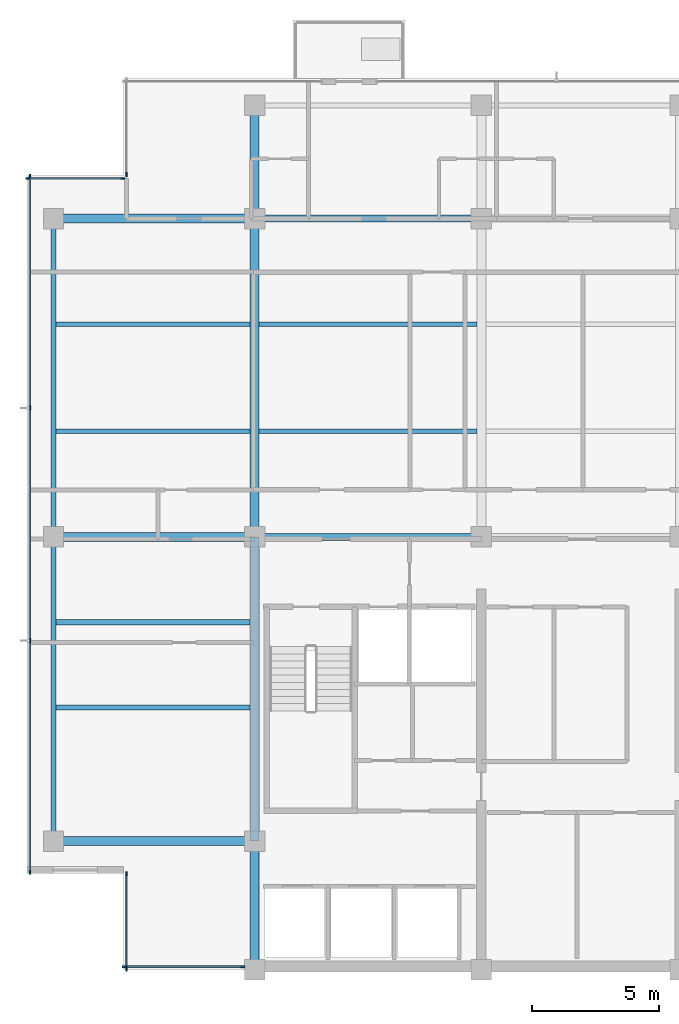
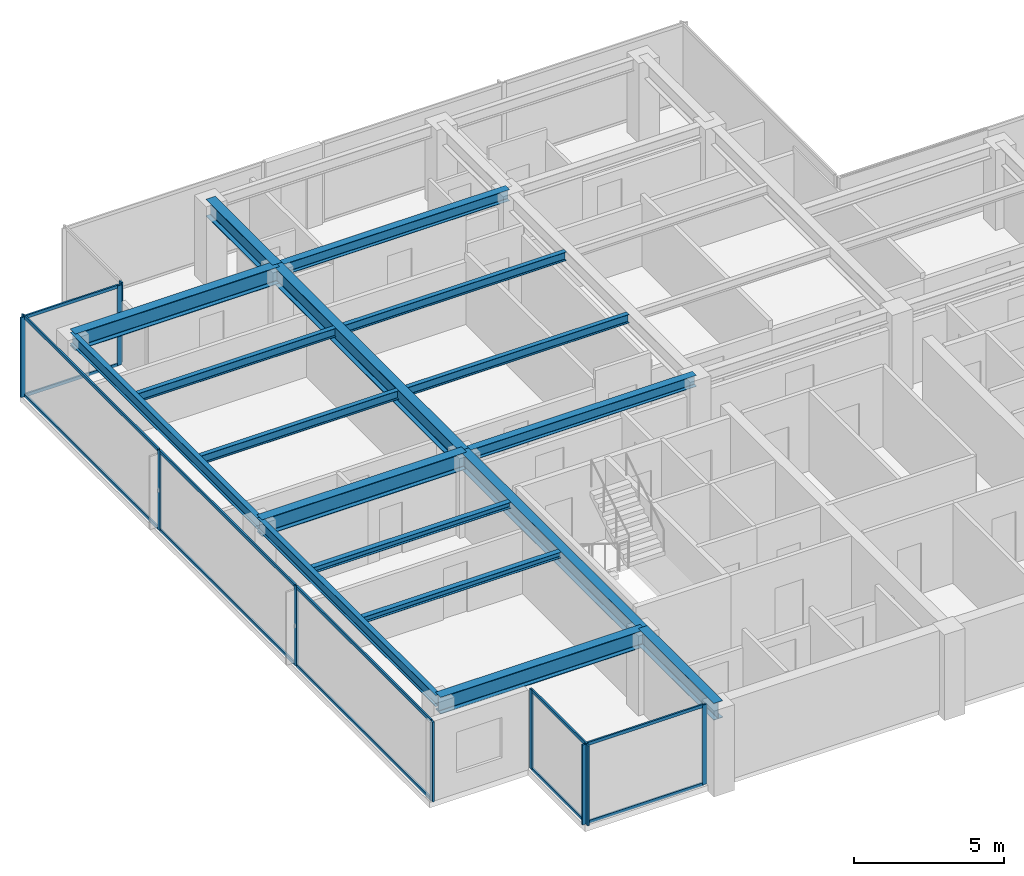
# One storey, part 2 of 11: 23 members, 17 beams, 5 elements without a shape of their own.
"""IFC4 building model written with IfcOpenShell, lengths in metres."""

from ifc_helpers import new_model, si_unit, direction, frame, origin, origin_2d, place, context, subcontext, project, spatial, rectangle, i_section, extrude, material, layer, layer_set, material_profile, profile_set, type_object, element, aggregate, save


model = new_model("IFC4")

# Units and contexts
model_context = context("Model", 3, precision=1e-05, world=origin(), true_north=direction((0.0, 1.0)))
body_context = subcontext(model_context, "Body", "Model", "MODEL_VIEW")
ifc_project = project(units=[si_unit("LENGTHUNIT", "METRE"), si_unit("AREAUNIT", "SQUARE_METRE"), si_unit("VOLUMEUNIT", "CUBIC_METRE"), si_unit("PLANEANGLEUNIT", "RADIAN"), si_unit("MASSUNIT", "GRAM", prefix="KILO")], contexts=[model_context])

# Site, building, storey
site_placement = place(None, origin())
site = spatial("IfcSite", under=ifc_project, at=site_placement, CompositionType="ELEMENT")
building_placement = place(site_placement, origin())
building = spatial("IfcBuilding", under=site, at=building_placement, Name="Qalmaran Belvedere Hotel", CompositionType="ELEMENT")
storey_placement = place(building_placement, frame((0.0, 0.0, 266.89990234375)))
storey = spatial("IfcBuildingStorey", under=building, at=storey_placement, Name="L69", CompositionType="ELEMENT", Elevation=266.89990234375)

# Beams
ifc_material_1 = material(Name="Steel S355JR", Category="steel")
ifc_material_profile_1 = material_profile(ifc_material_1, i_section(OverallWidth=0.201904296875, OverallDepth=0.2470703125, WebThickness=0.00732421875, FlangeThickness=0.010986328125, FilletRadius=0.011962890625, at=origin_2d()), Name="W250X49")
ifc_profile_set_1 = profile_set([ifc_material_profile_1], Name="Steel S355JR")
beam_type_1 = type_object("IfcBeamType", Name="BM-JST-W250X49", PredefinedType="JOIST", material=ifc_profile_set_1)
for number, where, z_axis, x_axis, name in (
    (1, (12.493896484375, 13.800048828125, 3.13671875), (1.0, 0.0, 0.0), (0.0, 1.0, 0.0), "L69 West Wing Joist 031"),
    (2, (12.493896484375, 17.14990234375, 3.13671875), (1.0, 0.0, 0.0), (0.0, 1.0, 0.0), "L69 West Wing Joist 033"),
):
    element("IfcBeam", number, at=place(storey_placement, frame(where, z_axis=z_axis, x_axis=x_axis)), inside=storey, type_object=beam_type_1, Name=name, PredefinedType="JOIST", context=body_context, shape_type="SweptSolid", body=[
        extrude(i_section(OverallWidth=0.201904296875, OverallDepth=0.2470703125, WebThickness=0.00732421875, FlangeThickness=0.010986328125, FilletRadius=0.011962890625, at=origin_2d()), origin(), (0.0, 0.0, 1.0), 7.630615234375),
    ])
ifc_material_profile_2 = material_profile(ifc_material_1, i_section(OverallWidth=0.172119140625, OverallDepth=0.35791015625, WebThickness=0.0078125, FlangeThickness=0.01318359375, FilletRadius=0.014892578125, at=origin_2d()), Name="W360X57")
ifc_profile_set_2 = profile_set([ifc_material_profile_2], Name="Steel S355JR")
beam_type_2 = type_object("IfcBeamType", Name="BM-SB4-W360X57", PredefinedType="BEAM", material=ifc_profile_set_2)
beam_1_placement = place(storey_placement, frame((12.493896484375, 24.64990234375, 3.0810546875), z_axis=(1.0, 0.0, 0.0), x_axis=(0.0, 1.0, 0.0)))
element("IfcBeam", 3, at=beam_1_placement, inside=storey, type_object=beam_type_2, Name="L69 West Secondary Beam 024", PredefinedType="BEAM", context=body_context, shape_type="SweptSolid", body=[
    extrude(i_section(OverallWidth=0.172119140625, OverallDepth=0.35791015625, WebThickness=0.0078125, FlangeThickness=0.01318359375, FilletRadius=0.014892578125, at=origin_2d()), origin(), (0.0, 0.0, 1.0), 7.630615234375),
])
beam_2_placement = place(storey_placement, frame((20.4755859375, 24.64990234375, 3.0810546875), z_axis=(1.0, 0.0, 0.0), x_axis=(0.0, 1.0, 0.0)))
element("IfcBeam", 4, at=beam_2_placement, inside=storey, type_object=beam_type_2, Name="L69 Secondary Floor Beam 025", PredefinedType="BEAM", context=body_context, shape_type="SweptSolid", body=[
    extrude(i_section(OverallWidth=0.172119140625, OverallDepth=0.35791015625, WebThickness=0.0078125, FlangeThickness=0.01318359375, FilletRadius=0.014892578125, at=origin_2d()), origin(), (0.0, 0.0, 1.0), 8.548828125),
])
beam_3_placement = place(storey_placement, frame((12.493896484375, 28.85009765625, 3.0810546875), z_axis=(1.0, 0.0, 0.0), x_axis=(0.0, 1.0, 0.0)))
element("IfcBeam", 5, at=beam_3_placement, inside=storey, type_object=beam_type_2, Name="L69 West Secondary Beam 028", PredefinedType="BEAM", context=body_context, shape_type="SweptSolid", body=[
    extrude(i_section(OverallWidth=0.172119140625, OverallDepth=0.35791015625, WebThickness=0.0078125, FlangeThickness=0.01318359375, FilletRadius=0.014892578125, at=origin_2d()), origin(), (0.0, 0.0, 1.0), 7.630615234375),
])
beam_4_placement = place(storey_placement, frame((20.4755859375, 28.85009765625, 3.0810546875), z_axis=(1.0, 0.0, 0.0), x_axis=(0.0, 1.0, 0.0)))
element("IfcBeam", 6, at=beam_4_placement, inside=storey, type_object=beam_type_2, Name="L69 Secondary Floor Beam 029", PredefinedType="BEAM", context=body_context, shape_type="SweptSolid", body=[
    extrude(i_section(OverallWidth=0.172119140625, OverallDepth=0.35791015625, WebThickness=0.0078125, FlangeThickness=0.01318359375, FilletRadius=0.014892578125, at=origin_2d()), origin(), (0.0, 0.0, 1.0), 8.548828125),
])
ifc_material_profile_3 = material_profile(ifc_material_1, i_section(OverallWidth=0.19189453125, OverallDepth=0.462890625, WebThickness=0.010498046875, FlangeThickness=0.017578125, FilletRadius=0.01611328125, at=origin_2d()), Name="W460X89")
ifc_profile_set_3 = profile_set([ifc_material_profile_3], Name="Steel S355JR")
beam_type_3 = type_object("IfcBeamType", Name="BM-SP2-W460X89", PredefinedType="SPANDREL", material=ifc_profile_set_3)
beam_5_placement = place(storey_placement, frame((12.39990234375, 8.550048828125, 3.028564453125), z_axis=(0.0, 1.0, 0.0), x_axis=(-1.0, 0.0, 0.0)))
element("IfcBeam", 7, at=beam_5_placement, inside=storey, type_object=beam_type_3, Name="L69 Perimeter Spandrel 01", PredefinedType="SPANDREL", context=body_context, shape_type="SweptSolid", body=[
    extrude(i_section(OverallWidth=0.19189453125, OverallDepth=0.462890625, WebThickness=0.010498046875, FlangeThickness=0.017578125, FilletRadius=0.01611328125, at=origin_2d()), origin(), (0.0, 0.0, 1.0), 11.949951171875),
])
beam_6_placement = place(storey_placement, frame((12.39990234375, 20.5, 3.028564453125), z_axis=(0.0, 1.0, 0.0), x_axis=(-1.0, 0.0, 0.0)))
element("IfcBeam", 8, at=beam_6_placement, inside=storey, type_object=beam_type_3, Name="L69 Perimeter Spandrel 02", PredefinedType="SPANDREL", context=body_context, shape_type="SweptSolid", body=[
    extrude(i_section(OverallWidth=0.19189453125, OverallDepth=0.462890625, WebThickness=0.010498046875, FlangeThickness=0.017578125, FilletRadius=0.01611328125, at=origin_2d()), origin(), (0.0, 0.0, 1.0), 12.5),
])
ifc_material_profile_4 = material_profile(ifc_material_1, i_section(OverallWidth=0.35498046875, OverallDepth=0.695068359375, WebThickness=0.015380859375, FlangeThickness=0.02490234375, FilletRadius=0.02197265625, at=origin_2d()), Name="W690X217")
ifc_profile_set_4 = profile_set([ifc_material_profile_4], Name="Steel S355JR")
beam_type_4 = type_object("IfcBeamType", Name="BM-Z1-W690X217", PredefinedType="USERDEFINED", material=ifc_profile_set_4)
beam_7_placement = place(storey_placement, frame((20.300048828125, 20.5, 2.91259765625), z_axis=(0.0, 1.0, 0.0), x_axis=(-1.0, 0.0, 0.0)))
element("IfcBeam", 9, at=beam_7_placement, inside=storey, type_object=beam_type_4, Name="L69 Mid-Plate N-S Girder 11", ObjectType="GIRDER", PredefinedType="USERDEFINED", context=body_context, shape_type="SweptSolid", body=[
    extrude(i_section(OverallWidth=0.35498046875, OverallDepth=0.695068359375, WebThickness=0.015380859375, FlangeThickness=0.02490234375, FilletRadius=0.02197265625, at=origin_2d()), origin(), (0.0, 0.0, 1.0), 12.5),
])
beam_8_placement = place(storey_placement, frame((20.300048828125, 33.0, 2.91259765625), z_axis=(0.0, 1.0, 0.0), x_axis=(-1.0, 0.0, 0.0)))
element("IfcBeam", 10, at=beam_8_placement, inside=storey, type_object=beam_type_4, Name="L69 North Bay Girder 12", ObjectType="GIRDER", PredefinedType="USERDEFINED", context=body_context, shape_type="SweptSolid", body=[
    extrude(i_section(OverallWidth=0.35498046875, OverallDepth=0.695068359375, WebThickness=0.015380859375, FlangeThickness=0.02490234375, FilletRadius=0.02197265625, at=origin_2d()), origin(), (0.0, 0.0, 1.0), 4.449951171875),
])
for number, where, z_axis, x_axis, name in (
    (11, (12.39990234375, 8.550048828125, 2.91259765625), (1.0, 0.0, 0.0), (0.0, 1.0, 0.0), "L69 West Wing Girder 19"),
    (12, (12.39990234375, 20.5, 2.91259765625), (1.0, 0.0, 0.0), (0.0, 1.0, 0.0), "L69 West Wing Girder 20"),
    (13, (12.39990234375, 33.0, 2.91259765625), (1.0, 0.0, 0.0), (0.0, 1.0, 0.0), "L69 West Wing Girder 21"),
):
    element("IfcBeam", number, at=place(storey_placement, frame(where, z_axis=z_axis, x_axis=x_axis)), inside=storey, type_object=beam_type_4, Name=name, ObjectType="GIRDER", PredefinedType="USERDEFINED", context=body_context, shape_type="SweptSolid", body=[
        extrude(i_section(OverallWidth=0.35498046875, OverallDepth=0.695068359375, WebThickness=0.015380859375, FlangeThickness=0.02490234375, FilletRadius=0.02197265625, at=origin_2d()), origin(), (0.0, 0.0, 1.0), 7.900146484375),
    ])
beam_9_placement = place(storey_placement, frame((20.300048828125, 3.5, 2.91259765625), z_axis=(0.0, 1.0, 0.0), x_axis=(-1.0, 0.0, 0.0)))
element("IfcBeam", 14, at=beam_9_placement, inside=storey, type_object=beam_type_4, Name="L69 West Core Edge Girder A", ObjectType="GIRDER", PredefinedType="USERDEFINED", context=body_context, shape_type="SweptSolid", body=[
    extrude(i_section(OverallWidth=0.35498046875, OverallDepth=0.695068359375, WebThickness=0.015380859375, FlangeThickness=0.02490234375, FilletRadius=0.02197265625, at=origin_2d()), origin(), (0.0, 0.0, 1.0), 5.050048828125),
])
beam_10_placement = place(storey_placement, frame((20.300048828125, 8.550048828125, 2.91259765625), z_axis=(0.0, 1.0, 0.0), x_axis=(-1.0, 0.0, 0.0)))
element("IfcBeam", 15, at=beam_10_placement, inside=storey, type_object=beam_type_4, Name="L69 West Core Edge Girder B", ObjectType="GIRDER", PredefinedType="USERDEFINED", context=body_context, shape_type="SweptSolid", body=[
    extrude(i_section(OverallWidth=0.35498046875, OverallDepth=0.695068359375, WebThickness=0.015380859375, FlangeThickness=0.02490234375, FilletRadius=0.02197265625, at=origin_2d()), origin(), (0.0, 0.0, 1.0), 11.949951171875),
])
ifc_material_profile_5 = material_profile(ifc_material_1, i_section(OverallWidth=0.280029296875, OverallDepth=0.462890625, WebThickness=0.0107421875, FlangeThickness=0.017333984375, FilletRadius=0.01611328125, at=origin_2d()), Name="W460X113")
ifc_profile_set_5 = profile_set([ifc_material_profile_5], Name="Steel S355JR")
beam_type_5 = type_object("IfcBeamType", Name="BM-Z5-W460X113", PredefinedType="USERDEFINED", material=ifc_profile_set_5)
for number, where, z_axis, x_axis, name in (
    (16, (20.300048828125, 20.5, 3.028564453125), (1.0, 0.0, 0.0), (0.0, 1.0, 0.0), "L69 Interior E-W Girder 06"),
    (17, (20.300048828125, 33.0, 3.028564453125), (1.0, 0.0, 0.0), (0.0, 1.0, 0.0), "L69 Interior E-W Girder 09"),
):
    element("IfcBeam", number, at=place(storey_placement, frame(where, z_axis=z_axis, x_axis=x_axis)), inside=storey, type_object=beam_type_5, Name=name, ObjectType="GIRDER", PredefinedType="USERDEFINED", context=body_context, shape_type="SweptSolid", body=[
        extrude(i_section(OverallWidth=0.280029296875, OverallDepth=0.462890625, WebThickness=0.0107421875, FlangeThickness=0.017333984375, FilletRadius=0.01611328125, at=origin_2d()), origin(), (0.0, 0.0, 1.0), 8.89990234375),
    ])

# Curtain wall, members
ifc_material_2 = material(Name="Anodised Bronze Aluminium", Category="aluminium")
ifc_layer = layer(ifc_material_2, 0.18505859375, Name="Anodised Bronze Aluminium")
ifc_layer_set = layer_set([ifc_layer], Name="Anodised Bronze Aluminium")
curtain_wall_type = type_object("IfcCurtainWallType", Name="CW6-TOWER-SKY", PredefinedType="NOTDEFINED", material=ifc_layer_set)
curtain_wall_1_placement = place(storey_placement, origin())
curtain_wall_1 = element("IfcCurtainWall", 18, at=curtain_wall_1_placement, inside=storey, type_object=curtain_wall_type, Name="L69 Curtain Wall CW6", PredefinedType="NOTDEFINED")
ifc_material_profile_6 = material_profile(ifc_material_2, rectangle(XDim=0.06494140625, YDim=0.1650390625, at=origin_2d()), Name="CWM65X165")
ifc_profile_set_6 = profile_set([ifc_material_profile_6], Name="Anodised Bronze Aluminium")
member_type_1 = type_object("IfcMemberType", Name="CWM-65X165", PredefinedType="MULLION", material=ifc_profile_set_6)
member_1_placement = place(storey_placement, frame((15.1826171875, 3.6201171875, 0.0), z_axis=(0.0, 0.0, 1.0), x_axis=(0.0, 1.0, 0.0)))
member_1 = element("IfcMember", 19, at=member_1_placement, type_object=member_type_1, Name="CW6 mullion 1", PredefinedType="MULLION", context=body_context, shape_type="SweptSolid", body=[
    extrude(rectangle(XDim=0.06494140625, YDim=0.1650390625, at=origin_2d()), origin(), (0.0, 0.0, 1.0), 3.260009765625),
])
member_2_placement = place(storey_placement, frame((19.827392578125, 3.6201171875, 0.0), z_axis=(0.0, 0.0, 1.0), x_axis=(0.0, 1.0, 0.0)))
member_2 = element("IfcMember", 20, at=member_2_placement, type_object=member_type_1, Name="CW6 mullion 2", PredefinedType="MULLION", context=body_context, shape_type="SweptSolid", body=[
    extrude(rectangle(XDim=0.06494140625, YDim=0.1650390625, at=origin_2d()), origin(), (0.0, 0.0, 1.0), 3.260009765625),
])

# Curtain wall, member
curtain_wall_2_placement = place(storey_placement, origin())
curtain_wall_2 = element("IfcCurtainWall", 21, at=curtain_wall_2_placement, inside=storey, type_object=curtain_wall_type, Name="L69 Curtain Wall CW6", PredefinedType="NOTDEFINED")
member_3_placement = place(storey_placement, frame((15.27001953125, 34.732421875, 0.0), z_axis=(0.0, 0.0, 1.0), x_axis=(1.0, 0.0, 0.0)))
member_3 = element("IfcMember", 22, at=member_3_placement, type_object=member_type_1, Name="CW6 mullion 2", PredefinedType="MULLION", context=body_context, shape_type="SweptSolid", body=[
    extrude(rectangle(XDim=0.06494140625, YDim=0.1650390625, at=origin_2d()), origin(), (0.0, 0.0, 1.0), 3.260009765625),
])
aggregate(curtain_wall_2, [member_3])

# Curtain wall, members
curtain_wall_3_placement = place(storey_placement, origin())
curtain_wall_3 = element("IfcCurtainWall", 23, at=curtain_wall_3_placement, inside=storey, type_object=curtain_wall_type, Name="L69 Curtain Wall CW6", PredefinedType="NOTDEFINED")
member_4_placement = place(storey_placement, frame((15.117431640625, 34.580078125, 0.0), z_axis=(0.0, 0.0, 1.0), x_axis=(0.0, -1.0, 0.0)))
member_4 = element("IfcMember", 24, at=member_4_placement, type_object=member_type_1, Name="CW6 mullion 1", PredefinedType="MULLION", context=body_context, shape_type="SweptSolid", body=[
    extrude(rectangle(XDim=0.06494140625, YDim=0.1650390625, at=origin_2d()), origin(), (0.0, 0.0, 1.0), 3.260009765625),
])
member_5_placement = place(storey_placement, frame((11.382568359375, 34.580078125, 0.0), z_axis=(0.0, 0.0, 1.0), x_axis=(0.0, -1.0, 0.0)))
member_5 = element("IfcMember", 25, at=member_5_placement, type_object=member_type_1, Name="CW6 mullion 2", PredefinedType="MULLION", context=body_context, shape_type="SweptSolid", body=[
    extrude(rectangle(XDim=0.06494140625, YDim=0.1650390625, at=origin_2d()), origin(), (0.0, 0.0, 1.0), 3.260009765625),
])

curtain_wall_4_placement = place(storey_placement, origin())
curtain_wall_4 = element("IfcCurtainWall", 26, at=curtain_wall_4_placement, inside=storey, type_object=curtain_wall_type, Name="L69 Curtain Wall CW6", PredefinedType="NOTDEFINED")
member_6_placement = place(storey_placement, frame((11.469970703125, 34.66748046875, 0.0), z_axis=(0.0, 0.0, 1.0), x_axis=(1.0, 0.0, 0.0)))
member_6 = element("IfcMember", 27, at=member_6_placement, type_object=member_type_1, Name="CW6 mullion 1", PredefinedType="MULLION", context=body_context, shape_type="SweptSolid", body=[
    extrude(rectangle(XDim=0.06494140625, YDim=0.1650390625, at=origin_2d()), origin(), (0.0, 0.0, 1.0), 3.260009765625),
])
member_7_placement = place(storey_placement, frame((11.469970703125, 25.566650390625, 0.0), z_axis=(0.0, 0.0, 1.0), x_axis=(1.0, 0.0, 0.0)))
member_7 = element("IfcMember", 28, at=member_7_placement, type_object=member_type_1, Name="CW6 mullion 2", PredefinedType="MULLION", context=body_context, shape_type="SweptSolid", body=[
    extrude(rectangle(XDim=0.06494140625, YDim=0.1650390625, at=origin_2d()), origin(), (0.0, 0.0, 1.0), 3.260009765625),
])
member_8_placement = place(storey_placement, frame((11.469970703125, 16.433349609375, 0.0), z_axis=(0.0, 0.0, 1.0), x_axis=(1.0, 0.0, 0.0)))
member_8 = element("IfcMember", 29, at=member_8_placement, type_object=member_type_1, Name="CW6 mullion 3", PredefinedType="MULLION", context=body_context, shape_type="SweptSolid", body=[
    extrude(rectangle(XDim=0.06494140625, YDim=0.1650390625, at=origin_2d()), origin(), (0.0, 0.0, 1.0), 3.260009765625),
])
member_9_placement = place(storey_placement, frame((11.469970703125, 7.33251953125, 0.0), z_axis=(0.0, 0.0, 1.0), x_axis=(1.0, 0.0, 0.0)))
member_9 = element("IfcMember", 30, at=member_9_placement, type_object=member_type_1, Name="CW6 mullion 4", PredefinedType="MULLION", context=body_context, shape_type="SweptSolid", body=[
    extrude(rectangle(XDim=0.06494140625, YDim=0.1650390625, at=origin_2d()), origin(), (0.0, 0.0, 1.0), 3.260009765625),
])

curtain_wall_5_placement = place(storey_placement, origin())
curtain_wall_5 = element("IfcCurtainWall", 31, at=curtain_wall_5_placement, inside=storey, type_object=curtain_wall_type, Name="L69 Curtain Wall CW6", PredefinedType="NOTDEFINED")
member_10_placement = place(storey_placement, frame((15.27001953125, 7.267578125, 0.0), z_axis=(0.0, 0.0, 1.0), x_axis=(1.0, 0.0, 0.0)))
member_10 = element("IfcMember", 32, at=member_10_placement, type_object=member_type_1, Name="CW6 mullion 1", PredefinedType="MULLION", context=body_context, shape_type="SweptSolid", body=[
    extrude(rectangle(XDim=0.06494140625, YDim=0.1650390625, at=origin_2d()), origin(), (0.0, 0.0, 1.0), 3.260009765625),
])
member_11_placement = place(storey_placement, frame((15.27001953125, 3.532470703125, 0.0), z_axis=(0.0, 0.0, 1.0), x_axis=(1.0, 0.0, 0.0)))
member_11 = element("IfcMember", 33, at=member_11_placement, type_object=member_type_1, Name="CW6 mullion 2", PredefinedType="MULLION", context=body_context, shape_type="SweptSolid", body=[
    extrude(rectangle(XDim=0.06494140625, YDim=0.1650390625, at=origin_2d()), origin(), (0.0, 0.0, 1.0), 3.260009765625),
])

# Member
ifc_material_profile_7 = material_profile(ifc_material_2, rectangle(XDim=0.06494140625, YDim=0.1298828125, at=origin_2d()), Name="CWT65X130")
ifc_profile_set_7 = profile_set([ifc_material_profile_7], Name="Anodised Bronze Aluminium")
member_type_2 = type_object("IfcMemberType", Name="CWT-65X130", PredefinedType="USERDEFINED", material=ifc_profile_set_7)
member_12_placement = place(storey_placement, frame((15.215087890625, 3.6201171875, 0.03271484375), z_axis=(1.0, 0.0, 0.0), x_axis=(0.0, 1.0, 0.0)))
member_12 = element("IfcMember", 34, at=member_12_placement, type_object=member_type_2, Name="CW6 transom 1.1", ObjectType="TRANSOM", PredefinedType="USERDEFINED", context=body_context, shape_type="SweptSolid", body=[
    extrude(rectangle(XDim=0.06494140625, YDim=0.1298828125, at=origin_2d()), origin(), (0.0, 0.0, 1.0), 4.579833984375),
])

member_13_placement = place(storey_placement, frame((15.215087890625, 3.6201171875, 3.2275390625), z_axis=(1.0, 0.0, 0.0), x_axis=(0.0, 1.0, 0.0)))
member_13 = element("IfcMember", 35, at=member_13_placement, type_object=member_type_2, Name="CW6 transom 1.2", ObjectType="TRANSOM", PredefinedType="USERDEFINED", context=body_context, shape_type="SweptSolid", body=[
    extrude(rectangle(XDim=0.06494140625, YDim=0.1298828125, at=origin_2d()), origin(), (0.0, 0.0, 1.0), 4.579833984375),
])

aggregate(curtain_wall_1, [member_1, member_2, member_12, member_13])

member_14_placement = place(storey_placement, frame((15.0849609375, 34.580078125, 0.03271484375), z_axis=(-1.0, 0.0, 0.0), x_axis=(0.0, -1.0, 0.0)))
member_14 = element("IfcMember", 36, at=member_14_placement, type_object=member_type_2, Name="CW6 transom 1.1", ObjectType="TRANSOM", PredefinedType="USERDEFINED", context=body_context, shape_type="SweptSolid", body=[
    extrude(rectangle(XDim=0.06494140625, YDim=0.1298828125, at=origin_2d()), origin(), (0.0, 0.0, 1.0), 3.669921875),
])

member_15_placement = place(storey_placement, frame((15.0849609375, 34.580078125, 3.2275390625), z_axis=(-1.0, 0.0, 0.0), x_axis=(0.0, -1.0, 0.0)))
member_15 = element("IfcMember", 37, at=member_15_placement, type_object=member_type_2, Name="CW6 transom 1.2", ObjectType="TRANSOM", PredefinedType="USERDEFINED", context=body_context, shape_type="SweptSolid", body=[
    extrude(rectangle(XDim=0.06494140625, YDim=0.1298828125, at=origin_2d()), origin(), (0.0, 0.0, 1.0), 3.669921875),
])

aggregate(curtain_wall_3, [member_4, member_5, member_14, member_15])

member_16_placement = place(storey_placement, frame((11.469970703125, 34.635009765625, 0.03271484375), z_axis=(0.0, -1.0, 0.0), x_axis=(1.0, 0.0, 0.0)))
member_16 = element("IfcMember", 38, at=member_16_placement, type_object=member_type_2, Name="CW6 transom 1.1", ObjectType="TRANSOM", PredefinedType="USERDEFINED", context=body_context, shape_type="SweptSolid", body=[
    extrude(rectangle(XDim=0.06494140625, YDim=0.1298828125, at=origin_2d()), origin(), (0.0, 0.0, 1.0), 9.035888671875),
])

member_17_placement = place(storey_placement, frame((11.469970703125, 34.635009765625, 3.2275390625), z_axis=(0.0, -1.0, 0.0), x_axis=(1.0, 0.0, 0.0)))
member_17 = element("IfcMember", 39, at=member_17_placement, type_object=member_type_2, Name="CW6 transom 1.2", ObjectType="TRANSOM", PredefinedType="USERDEFINED", context=body_context, shape_type="SweptSolid", body=[
    extrude(rectangle(XDim=0.06494140625, YDim=0.1298828125, at=origin_2d()), origin(), (0.0, 0.0, 1.0), 9.035888671875),
])

member_18_placement = place(storey_placement, frame((11.469970703125, 25.5341796875, 0.03271484375), z_axis=(0.0, -1.0, 0.0), x_axis=(1.0, 0.0, 0.0)))
member_18 = element("IfcMember", 40, at=member_18_placement, type_object=member_type_2, Name="CW6 transom 2.1", ObjectType="TRANSOM", PredefinedType="USERDEFINED", context=body_context, shape_type="SweptSolid", body=[
    extrude(rectangle(XDim=0.06494140625, YDim=0.1298828125, at=origin_2d()), origin(), (0.0, 0.0, 1.0), 9.068359375),
])

member_19_placement = place(storey_placement, frame((11.469970703125, 25.5341796875, 3.2275390625), z_axis=(0.0, -1.0, 0.0), x_axis=(1.0, 0.0, 0.0)))
member_19 = element("IfcMember", 41, at=member_19_placement, type_object=member_type_2, Name="CW6 transom 2.2", ObjectType="TRANSOM", PredefinedType="USERDEFINED", context=body_context, shape_type="SweptSolid", body=[
    extrude(rectangle(XDim=0.06494140625, YDim=0.1298828125, at=origin_2d()), origin(), (0.0, 0.0, 1.0), 9.068359375),
])

member_20_placement = place(storey_placement, frame((11.469970703125, 16.40087890625, 0.03271484375), z_axis=(0.0, -1.0, 0.0), x_axis=(1.0, 0.0, 0.0)))
member_20 = element("IfcMember", 42, at=member_20_placement, type_object=member_type_2, Name="CW6 transom 3.1", ObjectType="TRANSOM", PredefinedType="USERDEFINED", context=body_context, shape_type="SweptSolid", body=[
    extrude(rectangle(XDim=0.06494140625, YDim=0.1298828125, at=origin_2d()), origin(), (0.0, 0.0, 1.0), 9.035888671875),
])

member_21_placement = place(storey_placement, frame((11.469970703125, 16.40087890625, 3.2275390625), z_axis=(0.0, -1.0, 0.0), x_axis=(1.0, 0.0, 0.0)))
member_21 = element("IfcMember", 43, at=member_21_placement, type_object=member_type_2, Name="CW6 transom 3.2", ObjectType="TRANSOM", PredefinedType="USERDEFINED", context=body_context, shape_type="SweptSolid", body=[
    extrude(rectangle(XDim=0.06494140625, YDim=0.1298828125, at=origin_2d()), origin(), (0.0, 0.0, 1.0), 9.035888671875),
])

aggregate(curtain_wall_4, [member_6, member_7, member_8, member_9, member_16, member_17, member_18, member_19, member_20, member_21])

member_22_placement = place(storey_placement, frame((15.27001953125, 7.235107421875, 0.03271484375), z_axis=(0.0, -1.0, 0.0), x_axis=(1.0, 0.0, 0.0)))
member_22 = element("IfcMember", 44, at=member_22_placement, type_object=member_type_2, Name="CW6 transom 1.1", ObjectType="TRANSOM", PredefinedType="USERDEFINED", context=body_context, shape_type="SweptSolid", body=[
    extrude(rectangle(XDim=0.06494140625, YDim=0.1298828125, at=origin_2d()), origin(), (0.0, 0.0, 1.0), 3.670166015625),
])

member_23_placement = place(storey_placement, frame((15.27001953125, 7.235107421875, 3.2275390625), z_axis=(0.0, -1.0, 0.0), x_axis=(1.0, 0.0, 0.0)))
member_23 = element("IfcMember", 45, at=member_23_placement, type_object=member_type_2, Name="CW6 transom 1.2", ObjectType="TRANSOM", PredefinedType="USERDEFINED", context=body_context, shape_type="SweptSolid", body=[
    extrude(rectangle(XDim=0.06494140625, YDim=0.1298828125, at=origin_2d()), origin(), (0.0, 0.0, 1.0), 3.670166015625),
])

aggregate(curtain_wall_5, [member_10, member_11, member_22, member_23])

save(model, "model.ifc")
